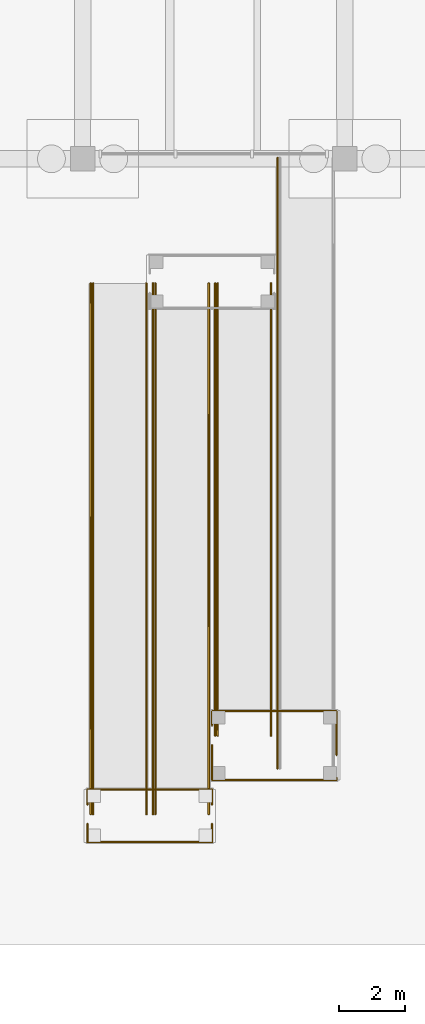
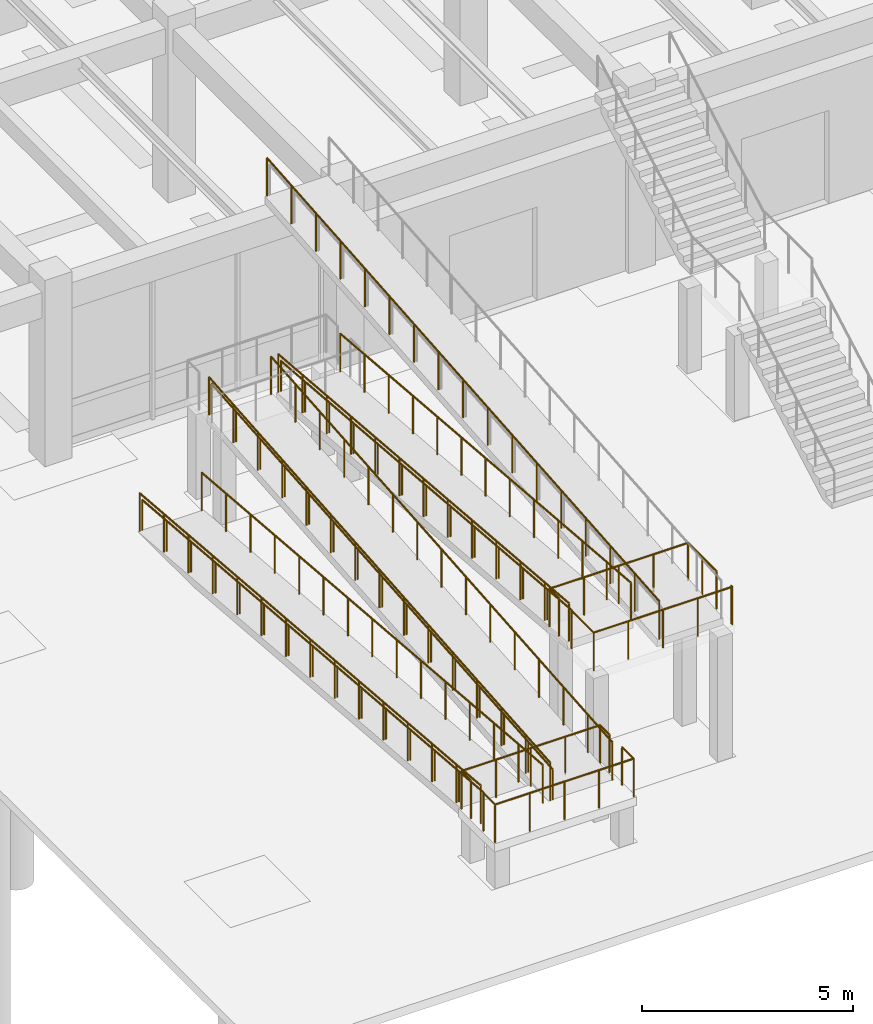
# One storey, part 35 of 44: 16 railings.
"""IFC4 building model written with IfcOpenShell, lengths in metres."""

from ifc_helpers import new_model, si_unit, direction, frame, origin, origin_2d, place, context, subcontext, project, spatial, circle, extrude, material, type_object, element, save


model = new_model("IFC4")

# Units and contexts
model_context = context("Model", 3, precision=1e-05, world=origin(), true_north=direction((0.0, 1.0)))
body_context = subcontext(model_context, "Body", "Model", "MODEL_VIEW")
ifc_project = project(units=[si_unit("LENGTHUNIT", "METRE"), si_unit("AREAUNIT", "SQUARE_METRE"), si_unit("VOLUMEUNIT", "CUBIC_METRE"), si_unit("PLANEANGLEUNIT", "RADIAN"), si_unit("MASSUNIT", "GRAM", prefix="KILO")], contexts=[model_context])

# Site, building, storey
site_placement = place(None, origin())
site = spatial("IfcSite", under=ifc_project, at=site_placement, CompositionType="ELEMENT")
building_placement = place(site_placement, origin())
building = spatial("IfcBuilding", under=site, at=building_placement, Name="Pecanmere Concourse Central Library", CompositionType="ELEMENT")
storey_placement = place(building_placement, frame((0.0, 0.0, -5.39990234375)))
storey = spatial("IfcBuildingStorey", under=building, at=storey_placement, Name="B1", CompositionType="ELEMENT", Elevation=-5.39990234375)

# Railings
ifc_material_1 = material(Name="Brushed stainless steel Grade 316", Category="steel")
railing_type_1 = type_object("IfcRailingType", Name="RAIL_RAMP_HR", PredefinedType="HANDRAIL", material=ifc_material_1)
railing_1_placement = place(storey_placement, frame((72.320068359375, 20.199951171875, 0.0)))
element("IfcRailing", 1, at=railing_1_placement, inside=storey, type_object=railing_type_1, Name="Ramp Handrail 1", PredefinedType="HANDRAIL", context=body_context, shape_type="SweptSolid", body=[
    extrude(circle(Radius=0.02392578125, at=origin_2d()), frame((0.0, 0.0, 0.8759765625), z_axis=(0.0, -0.996546483234, 0.083036779531), x_axis=(1.0, 0.0, 0.0)), (0.0, 0.0, 1.0), 16.256103515625),
    extrude(circle(Radius=0.02099609375, at=origin_2d()), origin(), (0.0, 0.0, 1.0), 0.851806640625),
    extrude(circle(Radius=0.02099609375, at=origin_2d()), frame((0.0, -1.1572265625, 0.096435546875)), (0.0, 0.0, 1.0), 0.851806640625),
    extrude(circle(Radius=0.02099609375, at=origin_2d()), frame((0.0, -2.314208984375, 0.19287109375)), (0.0, 0.0, 1.0), 0.851806640625),
    extrude(circle(Radius=0.02099609375, at=origin_2d()), frame((0.0, -3.471435546875, 0.289306640625)), (0.0, 0.0, 1.0), 0.851806640625),
    extrude(circle(Radius=0.02099609375, at=origin_2d()), frame((0.0, -4.628662109375, 0.3857421875)), (0.0, 0.0, 1.0), 0.851806640625),
    extrude(circle(Radius=0.02099609375, at=origin_2d()), frame((0.0, -5.78564453125, 0.482177734375)), (0.0, 0.0, 1.0), 0.851806640625),
    extrude(circle(Radius=0.02099609375, at=origin_2d()), frame((0.0, -6.94287109375, 0.57861328125)), (0.0, 0.0, 1.0), 0.851806640625),
    extrude(circle(Radius=0.02099609375, at=origin_2d()), frame((0.0, -8.10009765625, 0.6748046875)), (0.0, 0.0, 1.0), 0.851806640625),
    extrude(circle(Radius=0.02099609375, at=origin_2d()), frame((0.0, -9.257080078125, 0.771240234375)), (0.0, 0.0, 1.0), 0.851806640625),
    extrude(circle(Radius=0.02099609375, at=origin_2d()), frame((0.0, -10.414306640625, 0.86767578125)), (0.0, 0.0, 1.0), 0.851806640625),
    extrude(circle(Radius=0.02099609375, at=origin_2d()), frame((0.0, -11.5712890625, 0.964111328125)), (0.0, 0.0, 1.0), 0.851806640625),
    extrude(circle(Radius=0.02099609375, at=origin_2d()), frame((0.0, -12.728515625, 1.060546875)), (0.0, 0.0, 1.0), 0.851806640625),
    extrude(circle(Radius=0.02099609375, at=origin_2d()), frame((0.0, -13.8857421875, 1.156982421875)), (0.0, 0.0, 1.0), 0.851806640625),
    extrude(circle(Radius=0.02099609375, at=origin_2d()), frame((0.0, -15.042724609375, 1.25341796875)), (0.0, 0.0, 1.0), 0.851806640625),
    extrude(circle(Radius=0.02099609375, at=origin_2d()), frame((0.0, -16.199951171875, 1.349853515625)), (0.0, 0.0, 1.0), 0.851806640625),
])
railing_2_placement = place(storey_placement, frame((74.219970703125, 4.0, 1.349853515625)))
element("IfcRailing", 2, at=railing_2_placement, inside=storey, type_object=railing_type_1, Name="Ramp Handrail 2", PredefinedType="HANDRAIL", context=body_context, shape_type="SweptSolid", body=[
    extrude(circle(Radius=0.02392578125, at=origin_2d()), frame((0.0, 0.0, 0.8759765625), z_axis=(0.0, 0.99654524035, 0.083051694358), x_axis=(-1.0, 0.0, 0.0)), (0.0, 0.0, 1.0), 16.256103515625),
    extrude(circle(Radius=0.02099609375, at=origin_2d()), origin(), (0.0, 0.0, 1.0), 0.851806640625),
    extrude(circle(Radius=0.02099609375, at=origin_2d()), frame((0.0, 1.1572265625, 0.096435546875)), (0.0, 0.0, 1.0), 0.851806640625),
    extrude(circle(Radius=0.02099609375, at=origin_2d()), frame((0.0, 2.314208984375, 0.19287109375)), (0.0, 0.0, 1.0), 0.851806640625),
    extrude(circle(Radius=0.02099609375, at=origin_2d()), frame((0.0, 3.471435546875, 0.289306640625)), (0.0, 0.0, 1.0), 0.851806640625),
    extrude(circle(Radius=0.02099609375, at=origin_2d()), frame((0.0, 4.628662109375, 0.3857421875)), (0.0, 0.0, 1.0), 0.851806640625),
    extrude(circle(Radius=0.02099609375, at=origin_2d()), frame((0.0, 5.78564453125, 0.482177734375)), (0.0, 0.0, 1.0), 0.851806640625),
    extrude(circle(Radius=0.02099609375, at=origin_2d()), frame((0.0, 6.94287109375, 0.57861328125)), (0.0, 0.0, 1.0), 0.851806640625),
    extrude(circle(Radius=0.02099609375, at=origin_2d()), frame((0.0, 8.10009765625, 0.675048828125)), (0.0, 0.0, 1.0), 0.851806640625),
    extrude(circle(Radius=0.02099609375, at=origin_2d()), frame((0.0, 9.257080078125, 0.771484375)), (0.0, 0.0, 1.0), 0.851806640625),
    extrude(circle(Radius=0.02099609375, at=origin_2d()), frame((0.0, 10.414306640625, 0.867919921875)), (0.0, 0.0, 1.0), 0.851806640625),
    extrude(circle(Radius=0.02099609375, at=origin_2d()), frame((0.0, 11.5712890625, 0.96435546875)), (0.0, 0.0, 1.0), 0.851806640625),
    extrude(circle(Radius=0.02099609375, at=origin_2d()), frame((0.0, 12.728515625, 1.060791015625)), (0.0, 0.0, 1.0), 0.851806640625),
    extrude(circle(Radius=0.02099609375, at=origin_2d()), frame((0.0, 13.8857421875, 1.1572265625)), (0.0, 0.0, 1.0), 0.851806640625),
    extrude(circle(Radius=0.02099609375, at=origin_2d()), frame((0.0, 15.042724609375, 1.253662109375)), (0.0, 0.0, 1.0), 0.851806640625),
    extrude(circle(Radius=0.02099609375, at=origin_2d()), frame((0.0, 16.199951171875, 1.35009765625)), (0.0, 0.0, 1.0), 0.851806640625),
])
railing_3_placement = place(storey_placement, frame((76.1201171875, 20.199951171875, 2.699951171875)))
element("IfcRailing", 3, at=railing_3_placement, inside=storey, type_object=railing_type_1, Name="Ramp Handrail 3", PredefinedType="HANDRAIL", context=body_context, shape_type="SweptSolid", body=[
    extrude(circle(Radius=0.02392578125, at=origin_2d()), frame((0.0, 0.0, 0.8759765625), z_axis=(0.0, -0.996546366156, 0.083038184601), x_axis=(1.0, 0.0, 0.0)), (0.0, 0.0, 1.0), 13.847900390625),
    extrude(circle(Radius=0.02099609375, at=origin_2d()), origin(), (0.0, 0.0, 1.0), 0.851806640625),
    extrude(circle(Radius=0.02099609375, at=origin_2d()), frame((0.0, -1.14990234375, 0.095703125)), (0.0, 0.0, 1.0), 0.851806640625),
    extrude(circle(Radius=0.02099609375, at=origin_2d()), frame((0.0, -2.300048828125, 0.191650390625)), (0.0, 0.0, 1.0), 0.851806640625),
    extrude(circle(Radius=0.02099609375, at=origin_2d()), frame((0.0, -3.449951171875, 0.28759765625)), (0.0, 0.0, 1.0), 0.851806640625),
    extrude(circle(Radius=0.02099609375, at=origin_2d()), frame((0.0, -4.60009765625, 0.38330078125)), (0.0, 0.0, 1.0), 0.851806640625),
    extrude(circle(Radius=0.02099609375, at=origin_2d()), frame((0.0, -5.75, 0.47900390625)), (0.0, 0.0, 1.0), 0.851806640625),
    extrude(circle(Radius=0.02099609375, at=origin_2d()), frame((0.0, -6.89990234375, 0.574951171875)), (0.0, 0.0, 1.0), 0.851806640625),
    extrude(circle(Radius=0.02099609375, at=origin_2d()), frame((0.0, -8.050048828125, 0.6708984375)), (0.0, 0.0, 1.0), 0.851806640625),
    extrude(circle(Radius=0.02099609375, at=origin_2d()), frame((0.0, -9.199951171875, 0.7666015625)), (0.0, 0.0, 1.0), 0.851806640625),
    extrude(circle(Radius=0.02099609375, at=origin_2d()), frame((0.0, -10.35009765625, 0.8623046875)), (0.0, 0.0, 1.0), 0.851806640625),
    extrude(circle(Radius=0.02099609375, at=origin_2d()), frame((0.0, -11.5, 0.958251953125)), (0.0, 0.0, 1.0), 0.851806640625),
    extrude(circle(Radius=0.02099609375, at=origin_2d()), frame((0.0, -12.650146484375, 1.05419921875)), (0.0, 0.0, 1.0), 0.851806640625),
    extrude(circle(Radius=0.02099609375, at=origin_2d()), frame((0.0, -13.800048828125, 1.14990234375)), (0.0, 0.0, 1.0), 0.851806640625),
])
ifc_material_2 = material(Name="Architectural anodized bronze")
railing_type_2 = type_object("IfcRailingType", Name="RAIL_TERR_1120", PredefinedType="BALUSTRADE", material=ifc_material_2)
railing_4_placement = place(storey_placement, frame((72.25, 20.199951171875, 0.0)))
element("IfcRailing", 4, at=railing_4_placement, inside=storey, type_object=railing_type_2, Name="Ramp Protective Guard 1L", PredefinedType="BALUSTRADE", context=body_context, shape_type="SweptSolid", body=[
    extrude(circle(Radius=0.02392578125, at=origin_2d()), frame((0.0, 0.0, 1.09619140625), z_axis=(0.0, -0.996546483234, 0.083036779531), x_axis=(1.0, 0.0, 0.0)), (0.0, 0.0, 1.0), 16.256103515625),
    extrude(circle(Radius=0.02099609375, at=origin_2d()), origin(), (0.0, 0.0, 1.0), 1.072021484375),
    extrude(circle(Radius=0.02099609375, at=origin_2d()), frame((0.0, -1.1572265625, 0.096435546875)), (0.0, 0.0, 1.0), 1.072021484375),
    extrude(circle(Radius=0.02099609375, at=origin_2d()), frame((0.0, -2.314208984375, 0.19287109375)), (0.0, 0.0, 1.0), 1.072021484375),
    extrude(circle(Radius=0.02099609375, at=origin_2d()), frame((0.0, -3.471435546875, 0.289306640625)), (0.0, 0.0, 1.0), 1.072021484375),
    extrude(circle(Radius=0.02099609375, at=origin_2d()), frame((0.0, -4.628662109375, 0.3857421875)), (0.0, 0.0, 1.0), 1.072021484375),
    extrude(circle(Radius=0.02099609375, at=origin_2d()), frame((0.0, -5.78564453125, 0.482177734375)), (0.0, 0.0, 1.0), 1.072021484375),
    extrude(circle(Radius=0.02099609375, at=origin_2d()), frame((0.0, -6.94287109375, 0.57861328125)), (0.0, 0.0, 1.0), 1.072021484375),
    extrude(circle(Radius=0.02099609375, at=origin_2d()), frame((0.0, -8.10009765625, 0.6748046875)), (0.0, 0.0, 1.0), 1.072021484375),
    extrude(circle(Radius=0.02099609375, at=origin_2d()), frame((0.0, -9.257080078125, 0.771240234375)), (0.0, 0.0, 1.0), 1.072021484375),
    extrude(circle(Radius=0.02099609375, at=origin_2d()), frame((0.0, -10.414306640625, 0.86767578125)), (0.0, 0.0, 1.0), 1.072021484375),
    extrude(circle(Radius=0.02099609375, at=origin_2d()), frame((0.0, -11.5712890625, 0.964111328125)), (0.0, 0.0, 1.0), 1.072021484375),
    extrude(circle(Radius=0.02099609375, at=origin_2d()), frame((0.0, -12.728515625, 1.060546875)), (0.0, 0.0, 1.0), 1.072021484375),
    extrude(circle(Radius=0.02099609375, at=origin_2d()), frame((0.0, -13.8857421875, 1.156982421875)), (0.0, 0.0, 1.0), 1.072021484375),
    extrude(circle(Radius=0.02099609375, at=origin_2d()), frame((0.0, -15.042724609375, 1.25341796875)), (0.0, 0.0, 1.0), 1.072021484375),
    extrude(circle(Radius=0.02099609375, at=origin_2d()), frame((0.0, -16.199951171875, 1.349853515625)), (0.0, 0.0, 1.0), 1.072021484375),
])
railing_5_placement = place(storey_placement, frame((73.949951171875, 20.199951171875, 0.0)))
element("IfcRailing", 5, at=railing_5_placement, inside=storey, type_object=railing_type_2, Name="Ramp Protective Guard 1R", PredefinedType="BALUSTRADE", context=body_context, shape_type="SweptSolid", body=[
    extrude(circle(Radius=0.02392578125, at=origin_2d()), frame((0.0, 0.0, 1.09619140625), z_axis=(0.0, -0.996546483234, 0.083036779531), x_axis=(1.0, 0.0, 0.0)), (0.0, 0.0, 1.0), 16.256103515625),
    extrude(circle(Radius=0.02099609375, at=origin_2d()), origin(), (0.0, 0.0, 1.0), 1.072021484375),
    extrude(circle(Radius=0.02099609375, at=origin_2d()), frame((0.0, -1.1572265625, 0.096435546875)), (0.0, 0.0, 1.0), 1.072021484375),
    extrude(circle(Radius=0.02099609375, at=origin_2d()), frame((0.0, -2.314208984375, 0.19287109375)), (0.0, 0.0, 1.0), 1.072021484375),
    extrude(circle(Radius=0.02099609375, at=origin_2d()), frame((0.0, -3.471435546875, 0.289306640625)), (0.0, 0.0, 1.0), 1.072021484375),
    extrude(circle(Radius=0.02099609375, at=origin_2d()), frame((0.0, -4.628662109375, 0.3857421875)), (0.0, 0.0, 1.0), 1.072021484375),
    extrude(circle(Radius=0.02099609375, at=origin_2d()), frame((0.0, -5.78564453125, 0.482177734375)), (0.0, 0.0, 1.0), 1.072021484375),
    extrude(circle(Radius=0.02099609375, at=origin_2d()), frame((0.0, -6.94287109375, 0.57861328125)), (0.0, 0.0, 1.0), 1.072021484375),
    extrude(circle(Radius=0.02099609375, at=origin_2d()), frame((0.0, -8.10009765625, 0.6748046875)), (0.0, 0.0, 1.0), 1.072021484375),
    extrude(circle(Radius=0.02099609375, at=origin_2d()), frame((0.0, -9.257080078125, 0.771240234375)), (0.0, 0.0, 1.0), 1.072021484375),
    extrude(circle(Radius=0.02099609375, at=origin_2d()), frame((0.0, -10.414306640625, 0.86767578125)), (0.0, 0.0, 1.0), 1.072021484375),
    extrude(circle(Radius=0.02099609375, at=origin_2d()), frame((0.0, -11.5712890625, 0.964111328125)), (0.0, 0.0, 1.0), 1.072021484375),
    extrude(circle(Radius=0.02099609375, at=origin_2d()), frame((0.0, -12.728515625, 1.060546875)), (0.0, 0.0, 1.0), 1.072021484375),
    extrude(circle(Radius=0.02099609375, at=origin_2d()), frame((0.0, -13.8857421875, 1.156982421875)), (0.0, 0.0, 1.0), 1.072021484375),
    extrude(circle(Radius=0.02099609375, at=origin_2d()), frame((0.0, -15.042724609375, 1.25341796875)), (0.0, 0.0, 1.0), 1.072021484375),
    extrude(circle(Radius=0.02099609375, at=origin_2d()), frame((0.0, -16.199951171875, 1.349853515625)), (0.0, 0.0, 1.0), 1.072021484375),
])
railing_6_placement = place(storey_placement, frame((74.14990234375, 4.0, 1.349853515625)))
element("IfcRailing", 6, at=railing_6_placement, inside=storey, type_object=railing_type_2, Name="Ramp Protective Guard 2L", PredefinedType="BALUSTRADE", context=body_context, shape_type="SweptSolid", body=[
    extrude(circle(Radius=0.02392578125, at=origin_2d()), frame((0.0, 0.0, 1.09619140625), z_axis=(0.0, 0.99654524035, 0.083051694358), x_axis=(-1.0, 0.0, 0.0)), (0.0, 0.0, 1.0), 16.256103515625),
    extrude(circle(Radius=0.02099609375, at=origin_2d()), origin(), (0.0, 0.0, 1.0), 1.072021484375),
    extrude(circle(Radius=0.02099609375, at=origin_2d()), frame((0.0, 1.1572265625, 0.096435546875)), (0.0, 0.0, 1.0), 1.072021484375),
    extrude(circle(Radius=0.02099609375, at=origin_2d()), frame((0.0, 2.314208984375, 0.19287109375)), (0.0, 0.0, 1.0), 1.072021484375),
    extrude(circle(Radius=0.02099609375, at=origin_2d()), frame((0.0, 3.471435546875, 0.289306640625)), (0.0, 0.0, 1.0), 1.072021484375),
    extrude(circle(Radius=0.02099609375, at=origin_2d()), frame((0.0, 4.628662109375, 0.3857421875)), (0.0, 0.0, 1.0), 1.072021484375),
    extrude(circle(Radius=0.02099609375, at=origin_2d()), frame((0.0, 5.78564453125, 0.482177734375)), (0.0, 0.0, 1.0), 1.072021484375),
    extrude(circle(Radius=0.02099609375, at=origin_2d()), frame((0.0, 6.94287109375, 0.57861328125)), (0.0, 0.0, 1.0), 1.072021484375),
    extrude(circle(Radius=0.02099609375, at=origin_2d()), frame((0.0, 8.10009765625, 0.675048828125)), (0.0, 0.0, 1.0), 1.072021484375),
    extrude(circle(Radius=0.02099609375, at=origin_2d()), frame((0.0, 9.257080078125, 0.771484375)), (0.0, 0.0, 1.0), 1.072021484375),
    extrude(circle(Radius=0.02099609375, at=origin_2d()), frame((0.0, 10.414306640625, 0.867919921875)), (0.0, 0.0, 1.0), 1.072021484375),
    extrude(circle(Radius=0.02099609375, at=origin_2d()), frame((0.0, 11.5712890625, 0.96435546875)), (0.0, 0.0, 1.0), 1.072021484375),
    extrude(circle(Radius=0.02099609375, at=origin_2d()), frame((0.0, 12.728515625, 1.060791015625)), (0.0, 0.0, 1.0), 1.072021484375),
    extrude(circle(Radius=0.02099609375, at=origin_2d()), frame((0.0, 13.8857421875, 1.1572265625)), (0.0, 0.0, 1.0), 1.072021484375),
    extrude(circle(Radius=0.02099609375, at=origin_2d()), frame((0.0, 15.042724609375, 1.253662109375)), (0.0, 0.0, 1.0), 1.072021484375),
    extrude(circle(Radius=0.02099609375, at=origin_2d()), frame((0.0, 16.199951171875, 1.35009765625)), (0.0, 0.0, 1.0), 1.072021484375),
])
railing_7_placement = place(storey_placement, frame((75.85009765625, 4.0, 1.349853515625)))
element("IfcRailing", 7, at=railing_7_placement, inside=storey, type_object=railing_type_2, Name="Ramp Protective Guard 2R", PredefinedType="BALUSTRADE", context=body_context, shape_type="SweptSolid", body=[
    extrude(circle(Radius=0.02392578125, at=origin_2d()), frame((0.0, 0.0, 1.09619140625), z_axis=(0.0, 0.99654524035, 0.083051694358), x_axis=(-1.0, 0.0, 0.0)), (0.0, 0.0, 1.0), 16.256103515625),
    extrude(circle(Radius=0.02099609375, at=origin_2d()), origin(), (0.0, 0.0, 1.0), 1.072021484375),
    extrude(circle(Radius=0.02099609375, at=origin_2d()), frame((0.0, 1.1572265625, 0.096435546875)), (0.0, 0.0, 1.0), 1.072021484375),
    extrude(circle(Radius=0.02099609375, at=origin_2d()), frame((0.0, 2.314208984375, 0.19287109375)), (0.0, 0.0, 1.0), 1.072021484375),
    extrude(circle(Radius=0.02099609375, at=origin_2d()), frame((0.0, 3.471435546875, 0.289306640625)), (0.0, 0.0, 1.0), 1.072021484375),
    extrude(circle(Radius=0.02099609375, at=origin_2d()), frame((0.0, 4.628662109375, 0.3857421875)), (0.0, 0.0, 1.0), 1.072021484375),
    extrude(circle(Radius=0.02099609375, at=origin_2d()), frame((0.0, 5.78564453125, 0.482177734375)), (0.0, 0.0, 1.0), 1.072021484375),
    extrude(circle(Radius=0.02099609375, at=origin_2d()), frame((0.0, 6.94287109375, 0.57861328125)), (0.0, 0.0, 1.0), 1.072021484375),
    extrude(circle(Radius=0.02099609375, at=origin_2d()), frame((0.0, 8.10009765625, 0.675048828125)), (0.0, 0.0, 1.0), 1.072021484375),
    extrude(circle(Radius=0.02099609375, at=origin_2d()), frame((0.0, 9.257080078125, 0.771484375)), (0.0, 0.0, 1.0), 1.072021484375),
    extrude(circle(Radius=0.02099609375, at=origin_2d()), frame((0.0, 10.414306640625, 0.867919921875)), (0.0, 0.0, 1.0), 1.072021484375),
    extrude(circle(Radius=0.02099609375, at=origin_2d()), frame((0.0, 11.5712890625, 0.96435546875)), (0.0, 0.0, 1.0), 1.072021484375),
    extrude(circle(Radius=0.02099609375, at=origin_2d()), frame((0.0, 12.728515625, 1.060791015625)), (0.0, 0.0, 1.0), 1.072021484375),
    extrude(circle(Radius=0.02099609375, at=origin_2d()), frame((0.0, 13.8857421875, 1.1572265625)), (0.0, 0.0, 1.0), 1.072021484375),
    extrude(circle(Radius=0.02099609375, at=origin_2d()), frame((0.0, 15.042724609375, 1.253662109375)), (0.0, 0.0, 1.0), 1.072021484375),
    extrude(circle(Radius=0.02099609375, at=origin_2d()), frame((0.0, 16.199951171875, 1.35009765625)), (0.0, 0.0, 1.0), 1.072021484375),
])
railing_8_placement = place(storey_placement, frame((76.050048828125, 20.199951171875, 2.699951171875)))
element("IfcRailing", 8, at=railing_8_placement, inside=storey, type_object=railing_type_2, Name="Ramp Protective Guard 3L", PredefinedType="BALUSTRADE", context=body_context, shape_type="SweptSolid", body=[
    extrude(circle(Radius=0.02392578125, at=origin_2d()), frame((0.0, 0.0, 1.09619140625), z_axis=(0.0, -0.996546366156, 0.083038184601), x_axis=(1.0, 0.0, 0.0)), (0.0, 0.0, 1.0), 13.847900390625),
    extrude(circle(Radius=0.02099609375, at=origin_2d()), origin(), (0.0, 0.0, 1.0), 1.072021484375),
    extrude(circle(Radius=0.02099609375, at=origin_2d()), frame((0.0, -1.14990234375, 0.095703125)), (0.0, 0.0, 1.0), 1.072021484375),
    extrude(circle(Radius=0.02099609375, at=origin_2d()), frame((0.0, -2.300048828125, 0.191650390625)), (0.0, 0.0, 1.0), 1.072021484375),
    extrude(circle(Radius=0.02099609375, at=origin_2d()), frame((0.0, -3.449951171875, 0.28759765625)), (0.0, 0.0, 1.0), 1.072021484375),
    extrude(circle(Radius=0.02099609375, at=origin_2d()), frame((0.0, -4.60009765625, 0.38330078125)), (0.0, 0.0, 1.0), 1.072021484375),
    extrude(circle(Radius=0.02099609375, at=origin_2d()), frame((0.0, -5.75, 0.47900390625)), (0.0, 0.0, 1.0), 1.072021484375),
    extrude(circle(Radius=0.02099609375, at=origin_2d()), frame((0.0, -6.89990234375, 0.574951171875)), (0.0, 0.0, 1.0), 1.072021484375),
    extrude(circle(Radius=0.02099609375, at=origin_2d()), frame((0.0, -8.050048828125, 0.6708984375)), (0.0, 0.0, 1.0), 1.072021484375),
    extrude(circle(Radius=0.02099609375, at=origin_2d()), frame((0.0, -9.199951171875, 0.7666015625)), (0.0, 0.0, 1.0), 1.072021484375),
    extrude(circle(Radius=0.02099609375, at=origin_2d()), frame((0.0, -10.35009765625, 0.8623046875)), (0.0, 0.0, 1.0), 1.072021484375),
    extrude(circle(Radius=0.02099609375, at=origin_2d()), frame((0.0, -11.5, 0.958251953125)), (0.0, 0.0, 1.0), 1.072021484375),
    extrude(circle(Radius=0.02099609375, at=origin_2d()), frame((0.0, -12.650146484375, 1.05419921875)), (0.0, 0.0, 1.0), 1.072021484375),
    extrude(circle(Radius=0.02099609375, at=origin_2d()), frame((0.0, -13.800048828125, 1.14990234375)), (0.0, 0.0, 1.0), 1.072021484375),
])
railing_9_placement = place(storey_placement, frame((77.75, 20.199951171875, 2.699951171875)))
element("IfcRailing", 9, at=railing_9_placement, inside=storey, type_object=railing_type_2, Name="Ramp Protective Guard 3R", PredefinedType="BALUSTRADE", context=body_context, shape_type="SweptSolid", body=[
    extrude(circle(Radius=0.02392578125, at=origin_2d()), frame((0.0, 0.0, 1.09619140625), z_axis=(0.0, -0.996546366156, 0.083038184601), x_axis=(1.0, 0.0, 0.0)), (0.0, 0.0, 1.0), 13.847900390625),
    extrude(circle(Radius=0.02099609375, at=origin_2d()), origin(), (0.0, 0.0, 1.0), 1.072021484375),
    extrude(circle(Radius=0.02099609375, at=origin_2d()), frame((0.0, -1.14990234375, 0.095703125)), (0.0, 0.0, 1.0), 1.072021484375),
    extrude(circle(Radius=0.02099609375, at=origin_2d()), frame((0.0, -2.300048828125, 0.191650390625)), (0.0, 0.0, 1.0), 1.072021484375),
    extrude(circle(Radius=0.02099609375, at=origin_2d()), frame((0.0, -3.449951171875, 0.28759765625)), (0.0, 0.0, 1.0), 1.072021484375),
    extrude(circle(Radius=0.02099609375, at=origin_2d()), frame((0.0, -4.60009765625, 0.38330078125)), (0.0, 0.0, 1.0), 1.072021484375),
    extrude(circle(Radius=0.02099609375, at=origin_2d()), frame((0.0, -5.75, 0.47900390625)), (0.0, 0.0, 1.0), 1.072021484375),
    extrude(circle(Radius=0.02099609375, at=origin_2d()), frame((0.0, -6.89990234375, 0.574951171875)), (0.0, 0.0, 1.0), 1.072021484375),
    extrude(circle(Radius=0.02099609375, at=origin_2d()), frame((0.0, -8.050048828125, 0.6708984375)), (0.0, 0.0, 1.0), 1.072021484375),
    extrude(circle(Radius=0.02099609375, at=origin_2d()), frame((0.0, -9.199951171875, 0.7666015625)), (0.0, 0.0, 1.0), 1.072021484375),
    extrude(circle(Radius=0.02099609375, at=origin_2d()), frame((0.0, -10.35009765625, 0.8623046875)), (0.0, 0.0, 1.0), 1.072021484375),
    extrude(circle(Radius=0.02099609375, at=origin_2d()), frame((0.0, -11.5, 0.958251953125)), (0.0, 0.0, 1.0), 1.072021484375),
    extrude(circle(Radius=0.02099609375, at=origin_2d()), frame((0.0, -12.650146484375, 1.05419921875)), (0.0, 0.0, 1.0), 1.072021484375),
    extrude(circle(Radius=0.02099609375, at=origin_2d()), frame((0.0, -13.800048828125, 1.14990234375)), (0.0, 0.0, 1.0), 1.072021484375),
])
railing_10_placement = place(storey_placement, frame((77.949951171875, 5.39990234375, 3.849853515625)))
element("IfcRailing", 10, at=railing_10_placement, inside=storey, type_object=railing_type_2, Name="Ramp Protective Guard 4L", PredefinedType="BALUSTRADE", context=body_context, shape_type="SweptSolid", body=[
    extrude(circle(Radius=0.02392578125, at=origin_2d()), frame((0.0, 0.0, 1.09619140625), z_axis=(0.0, 0.996556647584, 0.082914704104), x_axis=(-1.0, 0.0, 0.0)), (0.0, 0.0, 1.0), 18.694580078125),
    extrude(circle(Radius=0.02099609375, at=origin_2d()), origin(), (0.0, 0.0, 1.0), 1.072021484375),
    extrude(circle(Radius=0.02099609375, at=origin_2d()), frame((0.0, 1.164306640625, 0.096923828125)), (0.0, 0.0, 1.0), 1.072021484375),
    extrude(circle(Radius=0.02099609375, at=origin_2d()), frame((0.0, 2.328857421875, 0.19384765625)), (0.0, 0.0, 1.0), 1.072021484375),
    extrude(circle(Radius=0.02099609375, at=origin_2d()), frame((0.0, 3.4931640625, 0.29052734375)), (0.0, 0.0, 1.0), 1.072021484375),
    extrude(circle(Radius=0.02099609375, at=origin_2d()), frame((0.0, 4.657470703125, 0.387451171875)), (0.0, 0.0, 1.0), 1.072021484375),
    extrude(circle(Radius=0.02099609375, at=origin_2d()), frame((0.0, 5.822021484375, 0.484375)), (0.0, 0.0, 1.0), 1.072021484375),
    extrude(circle(Radius=0.02099609375, at=origin_2d()), frame((0.0, 6.986328125, 0.581298828125)), (0.0, 0.0, 1.0), 1.072021484375),
    extrude(circle(Radius=0.02099609375, at=origin_2d()), frame((0.0, 8.150634765625, 0.67822265625)), (0.0, 0.0, 1.0), 1.072021484375),
    extrude(circle(Radius=0.02099609375, at=origin_2d()), frame((0.0, 9.31494140625, 0.77490234375)), (0.0, 0.0, 1.0), 1.072021484375),
    extrude(circle(Radius=0.02099609375, at=origin_2d()), frame((0.0, 10.4794921875, 0.871826171875)), (0.0, 0.0, 1.0), 1.072021484375),
    extrude(circle(Radius=0.02099609375, at=origin_2d()), frame((0.0, 11.643798828125, 0.96875)), (0.0, 0.0, 1.0), 1.072021484375),
    extrude(circle(Radius=0.02099609375, at=origin_2d()), frame((0.0, 12.80810546875, 1.065673828125)), (0.0, 0.0, 1.0), 1.072021484375),
    extrude(circle(Radius=0.02099609375, at=origin_2d()), frame((0.0, 13.97265625, 1.16259765625)), (0.0, 0.0, 1.0), 1.072021484375),
    extrude(circle(Radius=0.02099609375, at=origin_2d()), frame((0.0, 15.136962890625, 1.259521484375)), (0.0, 0.0, 1.0), 1.072021484375),
    extrude(circle(Radius=0.02099609375, at=origin_2d()), frame((0.0, 16.30126953125, 1.356201171875)), (0.0, 0.0, 1.0), 1.072021484375),
    extrude(circle(Radius=0.02099609375, at=origin_2d()), frame((0.0, 17.4658203125, 1.453125)), (0.0, 0.0, 1.0), 1.072021484375),
    extrude(circle(Radius=0.02099609375, at=origin_2d()), frame((0.0, 18.630126953125, 1.550048828125)), (0.0, 0.0, 1.0), 1.072021484375),
])
railing_11_placement = place(storey_placement, frame((72.14990234375, 3.14990234375, 1.349853515625)))
element("IfcRailing", 11, at=railing_11_placement, inside=storey, type_object=railing_type_2, Name="Ramp Landing Guard GR-RL001", PredefinedType="BALUSTRADE", context=body_context, shape_type="SweptSolid", body=[
    extrude(circle(Radius=0.02392578125, at=origin_2d()), frame((0.0, 0.0, 1.09619140625), z_axis=(1.0, 0.0, 0.0), x_axis=(0.0, 1.0, 0.0)), (0.0, 0.0, 1.0), 3.800048828125),
    extrude(circle(Radius=0.02392578125, at=origin_2d()), frame((3.800048828125, 0.0, 1.09619140625), z_axis=(0.0, 1.0, 0.0), x_axis=(-1.0, 0.0, 0.0)), (0.0, 0.0, 1.0), 0.550048828125),
    extrude(circle(Radius=0.02099609375, at=origin_2d()), origin(), (0.0, 0.0, 1.0), 1.072021484375),
    extrude(circle(Radius=0.02099609375, at=origin_2d()), frame((0.949951171875, 0.0, 0.0)), (0.0, 0.0, 1.0), 1.072021484375),
    extrude(circle(Radius=0.02099609375, at=origin_2d()), frame((1.89990234375, 0.0, 0.0)), (0.0, 0.0, 1.0), 1.072021484375),
    extrude(circle(Radius=0.02099609375, at=origin_2d()), frame((2.85009765625, 0.0, 0.0)), (0.0, 0.0, 1.0), 1.072021484375),
    extrude(circle(Radius=0.02099609375, at=origin_2d()), frame((3.800048828125, 0.0, 0.0)), (0.0, 0.0, 1.0), 1.072021484375),
    extrude(circle(Radius=0.02099609375, at=origin_2d()), frame((3.800048828125, 0.550048828125, 0.0)), (0.0, 0.0, 1.0), 1.072021484375),
])
railing_12_placement = place(storey_placement, frame((75.949951171875, 4.300048828125, 1.349853515625)))
element("IfcRailing", 12, at=railing_12_placement, inside=storey, type_object=railing_type_2, Name="Ramp Landing Guard GR-RL002", PredefinedType="BALUSTRADE", context=body_context, shape_type="SweptSolid", body=[
    extrude(circle(Radius=0.02392578125, at=origin_2d()), frame((0.0, 0.0, 1.09619140625), z_axis=(0.0, 1.0, 0.0), x_axis=(-1.0, 0.0, 0.0)), (0.0, 0.0, 1.0), 0.449951171875),
    extrude(circle(Radius=0.02392578125, at=origin_2d()), frame((0.0, 0.449951171875, 1.09619140625), z_axis=(-1.0, 0.0, 0.0), x_axis=(0.0, -1.0, 0.0)), (0.0, 0.0, 1.0), 3.800048828125),
    extrude(circle(Radius=0.02392578125, at=origin_2d()), frame((-3.800048828125, 0.449951171875, 1.09619140625), z_axis=(0.0, -1.0, 0.0), x_axis=(1.0, 0.0, 0.0)), (0.0, 0.0, 1.0), 0.449951171875),
    extrude(circle(Radius=0.02099609375, at=origin_2d()), origin(), (0.0, 0.0, 1.0), 1.072021484375),
    extrude(circle(Radius=0.02099609375, at=origin_2d()), frame((0.0, 0.449951171875, 0.0)), (0.0, 0.0, 1.0), 1.072021484375),
    extrude(circle(Radius=0.02099609375, at=origin_2d()), frame((-0.949951171875, 0.449951171875, 0.0)), (0.0, 0.0, 1.0), 1.072021484375),
    extrude(circle(Radius=0.02099609375, at=origin_2d()), frame((-1.89990234375, 0.449951171875, 0.0)), (0.0, 0.0, 1.0), 1.072021484375),
    extrude(circle(Radius=0.02099609375, at=origin_2d()), frame((-2.85009765625, 0.449951171875, 0.0)), (0.0, 0.0, 1.0), 1.072021484375),
    extrude(circle(Radius=0.02099609375, at=origin_2d()), frame((-3.800048828125, 0.449951171875, 0.0)), (0.0, 0.0, 1.0), 1.072021484375),
    extrude(circle(Radius=0.02099609375, at=origin_2d()), frame((-3.800048828125, 0.0, 0.0)), (0.0, 0.0, 1.0), 1.072021484375),
])
railing_13_placement = place(storey_placement, frame((72.14990234375, 3.699951171875, 1.349853515625)))
element("IfcRailing", 13, at=railing_13_placement, inside=storey, type_object=railing_type_2, Name="Ramp Landing Guard GR-RL003", PredefinedType="BALUSTRADE", context=body_context, shape_type="SweptSolid", body=[
    extrude(circle(Radius=0.02392578125, at=origin_2d()), frame((0.0, 0.0, 1.09619140625), z_axis=(0.0, -1.0, 0.0), x_axis=(1.0, 0.0, 0.0)), (0.0, 0.0, 1.0), 0.550048828125),
    extrude(circle(Radius=0.02099609375, at=origin_2d()), origin(), (0.0, 0.0, 1.0), 1.072021484375),
    extrude(circle(Radius=0.02099609375, at=origin_2d()), frame((0.0, -0.550048828125, 0.0)), (0.0, 0.0, 1.0), 1.072021484375),
])
railing_14_placement = place(storey_placement, frame((75.949951171875, 5.050048828125, 3.849853515625)))
element("IfcRailing", 14, at=railing_14_placement, inside=storey, type_object=railing_type_2, Name="Ramp Landing Guard GR-RL007", PredefinedType="BALUSTRADE", context=body_context, shape_type="SweptSolid", body=[
    extrude(circle(Radius=0.02392578125, at=origin_2d()), frame((0.0, 0.0, 1.09619140625), z_axis=(1.0, 0.0, 0.0), x_axis=(0.0, 1.0, 0.0)), (0.0, 0.0, 1.0), 3.800048828125),
    extrude(circle(Radius=0.02392578125, at=origin_2d()), frame((3.800048828125, 0.0, 1.09619140625), z_axis=(0.0, 1.0, 0.0), x_axis=(-1.0, 0.0, 0.0)), (0.0, 0.0, 1.0), 0.050048828125),
    extrude(circle(Radius=0.02099609375, at=origin_2d()), origin(), (0.0, 0.0, 1.0), 1.072021484375),
    extrude(circle(Radius=0.02099609375, at=origin_2d()), frame((0.949951171875, 0.0, 0.0)), (0.0, 0.0, 1.0), 1.072021484375),
    extrude(circle(Radius=0.02099609375, at=origin_2d()), frame((1.89990234375, 0.0, 0.0)), (0.0, 0.0, 1.0), 1.072021484375),
    extrude(circle(Radius=0.02099609375, at=origin_2d()), frame((2.85009765625, 0.0, 0.0)), (0.0, 0.0, 1.0), 1.072021484375),
    extrude(circle(Radius=0.02099609375, at=origin_2d()), frame((3.800048828125, 0.0, 0.0)), (0.0, 0.0, 1.0), 1.072021484375),
    extrude(circle(Radius=0.02099609375, at=origin_2d()), frame((3.800048828125, 0.050048828125, 0.0)), (0.0, 0.0, 1.0), 1.072021484375),
])
railing_15_placement = place(storey_placement, frame((79.75, 5.800048828125, 3.849853515625)))
element("IfcRailing", 15, at=railing_15_placement, inside=storey, type_object=railing_type_2, Name="Ramp Landing Guard GR-RL008", PredefinedType="BALUSTRADE", context=body_context, shape_type="SweptSolid", body=[
    extrude(circle(Radius=0.02392578125, at=origin_2d()), frame((0.0, 0.0, 1.09619140625), z_axis=(0.0, 1.0, 0.0), x_axis=(-1.0, 0.0, 0.0)), (0.0, 0.0, 1.0), 1.349853515625),
    extrude(circle(Radius=0.02392578125, at=origin_2d()), frame((0.0, 1.349853515625, 1.09619140625), z_axis=(-1.0, 0.0, 0.0), x_axis=(0.0, -1.0, 0.0)), (0.0, 0.0, 1.0), 3.800048828125),
    extrude(circle(Radius=0.02392578125, at=origin_2d()), frame((-3.800048828125, 1.349853515625, 1.09619140625), z_axis=(0.0, -1.0, 0.0), x_axis=(1.0, 0.0, 0.0)), (0.0, 0.0, 1.0), 0.449951171875),
    extrude(circle(Radius=0.02099609375, at=origin_2d()), origin(), (0.0, 0.0, 1.0), 1.072021484375),
    extrude(circle(Radius=0.02099609375, at=origin_2d()), frame((0.0, 0.6748046875, 0.0)), (0.0, 0.0, 1.0), 1.072021484375),
    extrude(circle(Radius=0.02099609375, at=origin_2d()), frame((0.0, 1.349853515625, 0.0)), (0.0, 0.0, 1.0), 1.072021484375),
    extrude(circle(Radius=0.02099609375, at=origin_2d()), frame((-0.949951171875, 1.349853515625, 0.0)), (0.0, 0.0, 1.0), 1.072021484375),
    extrude(circle(Radius=0.02099609375, at=origin_2d()), frame((-1.89990234375, 1.349853515625, 0.0)), (0.0, 0.0, 1.0), 1.072021484375),
    extrude(circle(Radius=0.02099609375, at=origin_2d()), frame((-2.85009765625, 1.349853515625, 0.0)), (0.0, 0.0, 1.0), 1.072021484375),
    extrude(circle(Radius=0.02099609375, at=origin_2d()), frame((-3.800048828125, 1.349853515625, 0.0)), (0.0, 0.0, 1.0), 1.072021484375),
    extrude(circle(Radius=0.02099609375, at=origin_2d()), frame((-3.800048828125, 0.89990234375, 0.0)), (0.0, 0.0, 1.0), 1.072021484375),
])
railing_16_placement = place(storey_placement, frame((75.949951171875, 6.10009765625, 3.849853515625)))
element("IfcRailing", 16, at=railing_16_placement, inside=storey, type_object=railing_type_2, Name="Ramp Landing Guard GR-RL009", PredefinedType="BALUSTRADE", context=body_context, shape_type="SweptSolid", body=[
    extrude(circle(Radius=0.02392578125, at=origin_2d()), frame((0.0, 0.0, 1.09619140625), z_axis=(0.0, -1.0, 0.0), x_axis=(1.0, 0.0, 0.0)), (0.0, 0.0, 1.0), 1.050048828125),
    extrude(circle(Radius=0.02099609375, at=origin_2d()), origin(), (0.0, 0.0, 1.0), 1.072021484375),
    extrude(circle(Radius=0.02099609375, at=origin_2d()), frame((0.0, -1.050048828125, 0.0)), (0.0, 0.0, 1.0), 1.072021484375),
])

save(model, "model.ifc")
